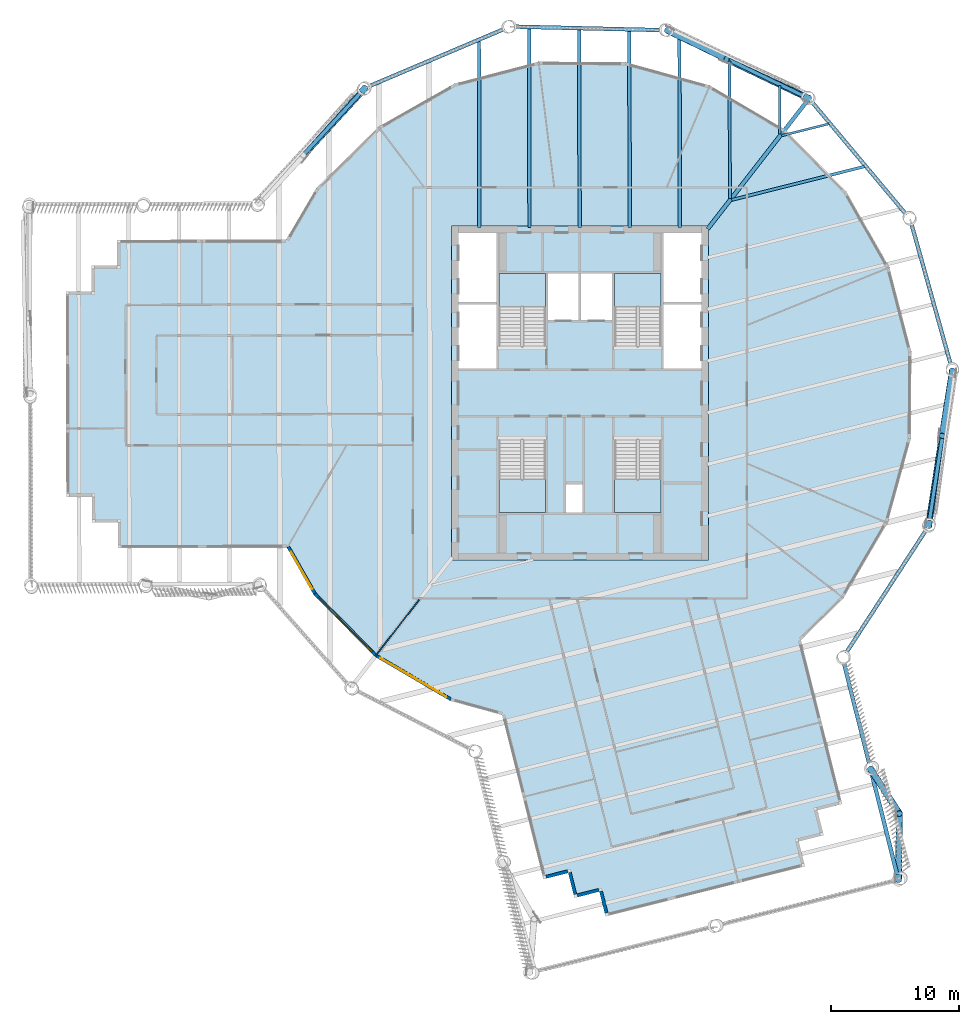
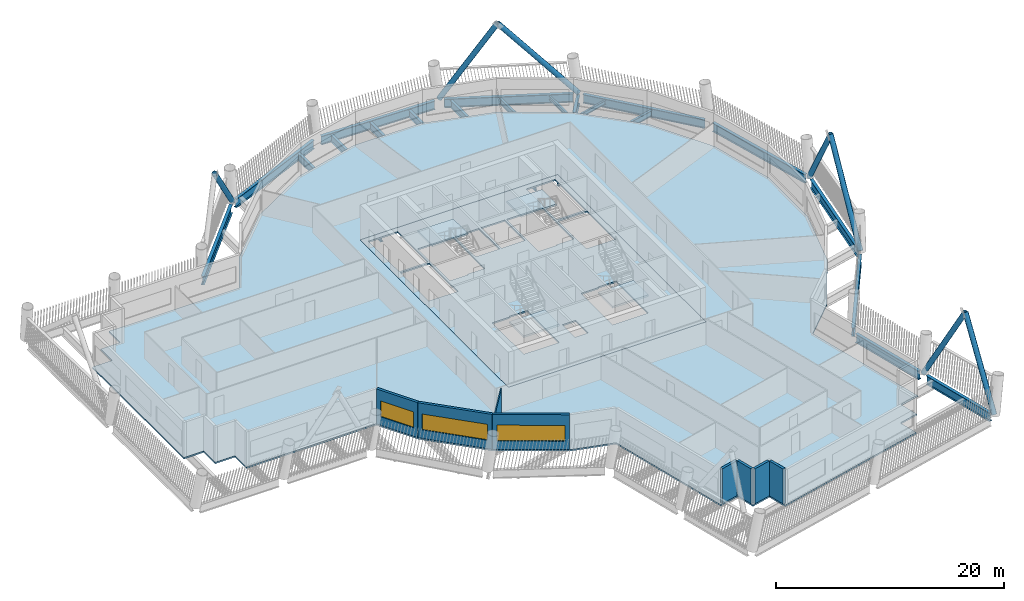
# One storey, part 2 of 22: 20 beams, 8 walls, 7 members, 6 slabs, 3 windows, 3 openings, 4 elements without a shape of their own.
"""IFC4 building model written with IfcOpenShell, lengths in metres."""

from ifc_helpers import new_model, si_unit, direction, frame, frame_2d, origin, origin_2d, place, context, subcontext, project, spatial, polyline, rectangle, hollow_circle, i_section, outline, extrude, material, layer, layer_set, material_profile, profile_set, type_object, element, fill, aggregate, save


model = new_model("IFC4")

# Units and contexts
model_context = context("Model", 3, precision=1e-05, world=origin(), true_north=direction((0.0, 1.0)))
body_context = subcontext(model_context, "Body", "Model", "MODEL_VIEW")
ifc_project = project(units=[si_unit("LENGTHUNIT", "METRE"), si_unit("AREAUNIT", "SQUARE_METRE"), si_unit("VOLUMEUNIT", "CUBIC_METRE"), si_unit("PLANEANGLEUNIT", "RADIAN"), si_unit("MASSUNIT", "GRAM", prefix="KILO")], contexts=[model_context])

# Site, building, storey
site_placement = place(None, origin())
site = spatial("IfcSite", under=ifc_project, at=site_placement, CompositionType="ELEMENT")
building_placement = place(site_placement, origin())
building = spatial("IfcBuilding", under=site, at=building_placement, Name="Tarsis Ring Headquarters", CompositionType="ELEMENT")
storey_placement = place(building_placement, frame((0.0, 0.0, 286.39990234375)))
storey = spatial("IfcBuildingStorey", under=building, at=storey_placement, Name="L67", CompositionType="ELEMENT", Elevation=286.39990234375)

# Beams
ifc_material_1 = material(Name="Structural steel S355", Category="steel")
ifc_material_profile_1 = material_profile(ifc_material_1, i_section(OverallWidth=0.177734375, OverallDepth=0.406494140625, WebThickness=0.0078125, FlangeThickness=0.0126953125, at=origin_2d()), Name="W16x40")
ifc_profile_set_1 = profile_set([ifc_material_profile_1], Name="Structural steel S355")
beam_type_1 = type_object("IfcBeamType", Name="FB Floor beam W16x40", PredefinedType="JOIST", material=ifc_profile_set_1)
for number, where, z_axis, x_axis, name in (
    (1, (15.705322265625, 20.03662109375, -0.363037109375), (0.969775306738, 0.243999701722, 0.0), (-0.243999701722, 0.969775306738, 0.0), "Floor beam FB1"),
    (2, (15.5498046875, 23.95654296875, -0.363037109375), (0.002117279997, -0.99999775856, 0.0), (0.99999775856, 0.002117279997, 0.0), "Floor beam FB1"),
):
    element("IfcBeam", number, at=place(storey_placement, frame(where, z_axis=z_axis, x_axis=x_axis)), inside=storey, type_object=beam_type_1, Name=name, PredefinedType="JOIST", context=body_context, shape_type="SweptSolid", body=[
        extrude(i_section(OverallWidth=0.177734375, OverallDepth=0.406494140625, WebThickness=0.0078125, FlangeThickness=0.0126953125, at=origin_2d()), origin(), (0.0, 0.0, 1.0), 3.80517578125),
    ])
ifc_material_profile_2 = material_profile(ifc_material_1, i_section(OverallWidth=0.228271484375, OverallDepth=0.607177734375, WebThickness=0.01123046875, FlangeThickness=0.017333984375, at=origin_2d()), Name="W24x76")
ifc_profile_set_2 = profile_set([ifc_material_profile_2], Name="Structural steel S355")
beam_type_2 = type_object("IfcBeamType", Name="FB Floor beam W24x76", PredefinedType="JOIST", material=ifc_profile_set_2)
beam_1_placement = place(storey_placement, frame((11.815673828125, 15.036865234375, -0.46337890625), z_axis=(0.969789322451, 0.243943989597, 0.0), x_axis=(-0.243943989597, 0.969789322451, 0.0)))
element("IfcBeam", 3, at=beam_1_placement, inside=storey, type_object=beam_type_2, Name="Floor beam FB4", PredefinedType="JOIST", context=body_context, shape_type="SweptSolid", body=[
    extrude(i_section(OverallWidth=0.228271484375, OverallDepth=0.607177734375, WebThickness=0.01123046875, FlangeThickness=0.017333984375, at=origin_2d()), origin(), (0.0, 0.0, 1.0), 10.6845703125),
])
beam_2_placement = place(storey_placement, frame((11.64599609375, 25.836181640625, -0.46337890625), z_axis=(0.002079282607, -0.99999783829, 0.0), x_axis=(0.99999783829, 0.002079282607, 0.0)))
element("IfcBeam", 4, at=beam_2_placement, inside=storey, type_object=beam_type_2, Name="Floor beam FB4", PredefinedType="JOIST", context=body_context, shape_type="SweptSolid", body=[
    extrude(i_section(OverallWidth=0.228271484375, OverallDepth=0.607177734375, WebThickness=0.01123046875, FlangeThickness=0.017333984375, at=origin_2d()), origin(), (0.0, 0.0, 1.0), 10.684814453125),
])
ifc_material_profile_3 = material_profile(ifc_material_1, i_section(OverallWidth=0.2666015625, OverallDepth=0.7568359375, WebThickness=0.013916015625, FlangeThickness=0.019287109375, at=origin_2d()), Name="W30x108")
ifc_profile_set_3 = profile_set([ifc_material_profile_3], Name="Structural steel S355")
beam_type_3 = type_object("IfcBeamType", Name="FB Floor beam W30x108", PredefinedType="JOIST", material=ifc_profile_set_3)
beam_3_placement = place(storey_placement, frame((7.741943359375, 27.7158203125, -0.538330078125), z_axis=(0.002092735094, -0.999997810228, 0.0), x_axis=(0.999997810228, 0.002092735094, 0.0)))
element("IfcBeam", 5, at=beam_3_placement, inside=storey, type_object=beam_type_3, Name="Floor beam FB6", PredefinedType="JOIST", context=body_context, shape_type="SweptSolid", body=[
    extrude(i_section(OverallWidth=0.2666015625, OverallDepth=0.7568359375, WebThickness=0.013916015625, FlangeThickness=0.019287109375, at=origin_2d()), origin(), (0.0, 0.0, 1.0), 14.81591796875),
])
beam_4_placement = place(storey_placement, frame((3.8408203125, 28.257080078125, -0.538330078125), z_axis=(0.002098464451, -0.999997798221, 0.0), x_axis=(0.999997798221, 0.002098464451, 0.0)))
element("IfcBeam", 6, at=beam_4_placement, inside=storey, type_object=beam_type_3, Name="Floor beam FB6", PredefinedType="JOIST", context=body_context, shape_type="SweptSolid", body=[
    extrude(i_section(OverallWidth=0.2666015625, OverallDepth=0.7568359375, WebThickness=0.013916015625, FlangeThickness=0.019287109375, at=origin_2d()), origin(), (0.0, 0.0, 1.0), 15.357177734375),
])
beam_5_placement = place(storey_placement, frame((-0.059326171875, 28.35009765625, -0.538330078125), z_axis=(0.002085830745, -0.999997824653, 0.0), x_axis=(0.999997824653, 0.002085830745, 0.0)))
element("IfcBeam", 7, at=beam_5_placement, inside=storey, type_object=beam_type_3, Name="Floor beam FB6", PredefinedType="JOIST", context=body_context, shape_type="SweptSolid", body=[
    extrude(i_section(OverallWidth=0.2666015625, OverallDepth=0.7568359375, WebThickness=0.013916015625, FlangeThickness=0.019287109375, at=origin_2d()), origin(), (0.0, 0.0, 1.0), 15.4501953125),
])
beam_6_placement = place(storey_placement, frame((-3.95947265625, 28.443115234375, -0.538330078125), z_axis=(0.002089055365, -0.999997817921, 0.0), x_axis=(0.999997817921, 0.002089055365, 0.0)))
element("IfcBeam", 8, at=beam_6_placement, inside=storey, type_object=beam_type_3, Name="Floor beam FB6", PredefinedType="JOIST", context=body_context, shape_type="SweptSolid", body=[
    extrude(i_section(OverallWidth=0.2666015625, OverallDepth=0.7568359375, WebThickness=0.013916015625, FlangeThickness=0.019287109375, at=origin_2d()), origin(), (0.0, 0.0, 1.0), 15.543212890625),
])
beam_7_placement = place(storey_placement, frame((-7.857421875, 27.442626953125, -0.538330078125), z_axis=(0.002081685016, -0.999997833291, 0.0), x_axis=(0.999997833291, 0.002081685016, 0.0)))
element("IfcBeam", 9, at=beam_7_placement, inside=storey, type_object=beam_type_3, Name="Floor beam FB6", PredefinedType="JOIST", context=body_context, shape_type="SweptSolid", body=[
    extrude(i_section(OverallWidth=0.2666015625, OverallDepth=0.7568359375, WebThickness=0.013916015625, FlangeThickness=0.019287109375, at=origin_2d()), origin(), (0.0, 0.0, 1.0), 14.542724609375),
])
ifc_material_profile_4 = material_profile(ifc_material_1, i_section(OverallWidth=0.309814453125, OverallDepth=0.949951171875, WebThickness=0.0244140625, FlangeThickness=0.0439453125, at=origin_2d()), Name="W36x256")
ifc_profile_set_4 = profile_set([ifc_material_profile_4], Name="Structural steel S355")
beam_type_4 = type_object("IfcBeamType", Name="FB Floor beam W36x256 spine", PredefinedType="BEAM", material=ifc_profile_set_4)
beam_8_placement = place(storey_placement, frame((17.800048828125, 22.8818359375, -0.635009765625), z_axis=(-0.61399605646, -0.78930909196, 0.0), x_axis=(0.78930909196, -0.61399605646, 0.0)))
element("IfcBeam", 10, at=beam_8_placement, inside=storey, type_object=beam_type_4, Name="Floor beam SB11", PredefinedType="BEAM", context=body_context, shape_type="SweptSolid", body=[
    extrude(i_section(OverallWidth=0.309814453125, OverallDepth=0.949951171875, WebThickness=0.0244140625, FlangeThickness=0.0439453125, at=origin_2d()), origin(), (0.0, 0.0, 1.0), 12.803466796875),
])

# Members
ifc_material_profile_5 = material_profile(ifc_material_1, hollow_circle(Radius=0.25390625, WallThickness=0.02001953125, at=origin_2d()), Name="CHS 508x20")
ifc_profile_set_5 = profile_set([ifc_material_profile_5], Name="Structural steel S355")
member_type = type_object("IfcMemberType", Name="XD X brace CHS 508x20", PredefinedType="BRACE", material=ifc_profile_set_5)
member_1_placement = place(storey_placement, frame((24.7939453125, -37.896484375, 0.0), z_axis=(0.007672509828, 0.552055350028, 0.833772164982), x_axis=(-0.999903435665, 0.013896738682, 0.0)))
element("IfcMember", 11, at=member_1_placement, inside=storey, type_object=member_type, Name="X brace XD2", PredefinedType="BRACE", context=body_context, shape_type="SweptSolid", body=[
    extrude(hollow_circle(Radius=0.25390625, WallThickness=0.02001953125, at=origin_2d()), origin(), (0.0, 0.0, 1.0), 9.355224609375),
])
member_2_placement = place(storey_placement, frame((22.622314453125, -29.26318359375, 0.0), z_axis=(0.254169372308, -0.392995803869, 0.883715015331), x_axis=(0.839689057238, 0.543067479375, 0.0)))
element("IfcMember", 12, at=member_2_placement, inside=storey, type_object=member_type, Name="X brace XD2", PredefinedType="BRACE", context=body_context, shape_type="SweptSolid", body=[
    extrude(hollow_circle(Radius=0.25390625, WallThickness=0.02001953125, at=origin_2d()), origin(), (0.0, 0.0, 1.0), 8.826416015625),
])
member_3_placement = place(storey_placement, frame((27.135986328125, -10.3662109375, 0.0), z_axis=(0.100728332475, 0.666365554852, 0.738790058368), x_axis=(-0.988767344019, 0.149462836192, 0.0)))
element("IfcMember", 13, at=member_3_placement, inside=storey, type_object=member_type, Name="X brace XD2", PredefinedType="BRACE", context=body_context, shape_type="SweptSolid", body=[
    extrude(hollow_circle(Radius=0.25390625, WallThickness=0.02001953125, at=origin_2d()), origin(), (0.0, 0.0, 1.0), 10.557861328125),
])
member_4_placement = place(storey_placement, frame((28.996337890625, 1.740478515625, 0.0), z_axis=(-0.085338997823, -0.543094872175, 0.835323419561), x_axis=(0.987878375657, -0.155229877631, 0.0)))
element("IfcMember", 14, at=member_4_placement, inside=storey, type_object=member_type, Name="X brace XD2", PredefinedType="BRACE", context=body_context, shape_type="SweptSolid", body=[
    extrude(hollow_circle(Radius=0.25390625, WallThickness=0.02001953125, at=origin_2d()), origin(), (0.0, 0.0, 1.0), 9.337646484375),
])
member_5_placement = place(storey_placement, frame((17.836181640625, 22.927978515625, 0.0), z_axis=(-0.607945493671, 0.290873164387, 0.738779452181), x_axis=(-0.431596324936, -0.902066855783, 0.0)))
element("IfcMember", 15, at=member_5_placement, inside=storey, type_object=member_type, Name="X brace XD2", PredefinedType="BRACE", context=body_context, shape_type="SweptSolid", body=[
    extrude(hollow_circle(Radius=0.25390625, WallThickness=0.02001953125, at=origin_2d()), origin(), (0.0, 0.0, 1.0), 10.55810546875),
])
member_6_placement = place(storey_placement, frame((6.7998046875, 28.241455078125, 0.0), z_axis=(0.494520888948, -0.24014879798, 0.835330859733), x_axis=(0.43683469535, 0.899541799439, 0.0)))
element("IfcMember", 16, at=member_6_placement, inside=storey, type_object=member_type, Name="X brace XD2", PredefinedType="BRACE", context=body_context, shape_type="SweptSolid", body=[
    extrude(hollow_circle(Radius=0.25390625, WallThickness=0.02001953125, at=origin_2d()), origin(), (0.0, 0.0, 1.0), 9.337646484375),
])
member_7_placement = place(storey_placement, frame((-16.72265625, 23.752197265625, 0.0), z_axis=(-0.455679723677, -0.496539668452, 0.738785724742), x_axis=(0.736770898181, -0.676142472852, 0.0)))
element("IfcMember", 17, at=member_7_placement, inside=storey, type_object=member_type, Name="X brace XD2", PredefinedType="BRACE", context=body_context, shape_type="SweptSolid", body=[
    extrude(hollow_circle(Radius=0.25390625, WallThickness=0.02001953125, at=origin_2d()), origin(), (0.0, 0.0, 1.0), 10.557861328125),
])

# Beams
ifc_material_profile_6 = material_profile(ifc_material_1, i_section(OverallWidth=0.309814453125, OverallDepth=0.93212890625, WebThickness=0.02099609375, FlangeThickness=0.034423828125, at=origin_2d()), Name="W36x210")
ifc_profile_set_6 = profile_set([ifc_material_profile_6], Name="Structural steel S355")
beam_type_5 = type_object("IfcBeamType", Name="XG Ring girder W36x210", PredefinedType="BEAM", material=ifc_profile_set_6)
beam_9_placement = place(storey_placement, frame((24.6826171875, -37.452880859375, -0.466064453125), z_axis=(-0.243966502795, 0.969783659129, 0.0), x_axis=(-0.969783659129, -0.243966502795, 0.0)))
element("IfcBeam", 18, at=beam_9_placement, inside=storey, type_object=beam_type_5, Name="Ring girder XG3", PredefinedType="BEAM", context=body_context, shape_type="SweptSolid", body=[
    extrude(i_section(OverallWidth=0.309814453125, OverallDepth=0.93212890625, WebThickness=0.02099609375, FlangeThickness=0.034423828125, at=origin_2d()), origin(), (0.0, 0.0, 1.0), 7.98779296875),
])
beam_10_placement = place(storey_placement, frame((22.5107421875, -28.81982421875, -0.466064453125), z_axis=(-0.243959271583, 0.969785478242, 0.0), x_axis=(-0.969785478242, -0.243959271583, 0.0)))
element("IfcBeam", 19, at=beam_10_placement, inside=storey, type_object=beam_type_5, Name="Ring girder XG3", PredefinedType="BEAM", context=body_context, shape_type="SweptSolid", body=[
    extrude(i_section(OverallWidth=0.309814453125, OverallDepth=0.93212890625, WebThickness=0.02099609375, FlangeThickness=0.034423828125, at=origin_2d()), origin(), (0.0, 0.0, 1.0), 7.988037109375),
])
beam_11_placement = place(storey_placement, frame((20.7001953125, -20.246826171875, -0.466064453125), z_axis=(0.545786082517, 0.83792455038, 0.0), x_axis=(-0.83792455038, 0.545786082517, 0.0)))
element("IfcBeam", 20, at=beam_11_placement, inside=storey, type_object=beam_type_5, Name="Ring girder XG3", PredefinedType="BEAM", context=body_context, shape_type="SweptSolid", body=[
    extrude(i_section(OverallWidth=0.309814453125, OverallDepth=0.93212890625, WebThickness=0.02099609375, FlangeThickness=0.034423828125, at=origin_2d()), origin(), (0.0, 0.0, 1.0), 11.334716796875),
])
for number, where, z_axis, x_axis, name in (
    (21, (27.205322265625, -9.914306640625, -0.466064453125), (0.151898559837, 0.988396088377, 0.0), (-0.988396088377, 0.151898559837, 0.0), "Ring girder XG3"),
    (22, (28.873291015625, 2.180908203125, -0.466064453125), (-0.269032255659, 0.963131167295, 0.0), (-0.963131167295, -0.269032255659, 0.0), "Ring girder XG3"),
    (23, (25.407470703125, 13.88818359375, -0.466064453125), (-0.642099796077, 0.766621061462, 0.0), (-0.766621061462, -0.642099796077, 0.0), "Ring girder XG3"),
    (24, (17.424072265625, 23.126220703125, -0.466064453125), (-0.901004787952, 0.433809142466, 0.0), (-0.433809142466, -0.901004787952, 0.0), "Ring girder XG3"),
    (25, (6.3427734375, 28.25244140625, -0.466064453125), (-0.999715684381, 0.023844294974, 0.0), (-0.023844294974, -0.999715684381, 0.0), "Ring girder XG3"),
    (26, (-5.866455078125, 28.35498046875, -0.466064453125), (-0.920669995585, -0.390341849191, 0.0), (0.390341849191, -0.920669995585, 0.0), "Ring girder XG3"),
    (27, (-17.03271484375, 23.416015625, -0.466064453125), (-0.677923067117, -0.735132855388, 0.0), (0.735132855388, -0.677923067117, 0.0), "Ring girder XG3"),
):
    element("IfcBeam", number, at=place(storey_placement, frame(where, z_axis=z_axis, x_axis=x_axis)), inside=storey, type_object=beam_type_5, Name=name, PredefinedType="BEAM", context=body_context, shape_type="SweptSolid", body=[
        extrude(i_section(OverallWidth=0.309814453125, OverallDepth=0.93212890625, WebThickness=0.02099609375, FlangeThickness=0.034423828125, at=origin_2d()), origin(), (0.0, 0.0, 1.0), 11.33447265625),
    ])

# Slab
ifc_material_2 = material(Name="Concrete C40/50", Category="concrete")
ifc_layer_1 = layer(ifc_material_2, 0.159912109375)
ifc_layer_set_1 = layer_set([ifc_layer_1], Name="Core floor slab 160 C40/50")
slab_type_1 = type_object("IfcSlabType", Name="Core floor slab 160 C40/50", PredefinedType="FLOOR", material=ifc_layer_set_1)
slab_1_placement = place(storey_placement, frame((0.0, 0.0, -0.159912109375)))
element("IfcSlab", 28, at=slab_1_placement, inside=storey, type_object=slab_type_1, Name="L67 core floor slab", PredefinedType="FLOOR", context=body_context, shape_type="SweptSolid", body=[
    extrude(outline(polyline([(-10.0, -13.0), (10.0, -13.0), (10.0, 13.0), (-10.0, 13.0), (-10.0, -13.0)]), holes=[polyline([(-2.5, 5.699951171875), (-0.10009765625, 5.699951171875), (-0.10009765625, 9.300048828125), (-2.5, 9.300048828125), (-2.5, 5.699951171875)]), polyline([(0.10009765625, 5.699951171875), (2.5, 5.699951171875), (2.5, 9.300048828125), (0.10009765625, 9.300048828125), (0.10009765625, 5.699951171875)]), polyline([(-9.449951171875, 1.89990234375), (-6.5, 1.89990234375), (-6.5, 6.89990234375), (-9.449951171875, 6.89990234375), (-9.449951171875, 1.89990234375)]), polyline([(-9.449951171875, 7.10009765625), (-6.5, 7.10009765625), (-6.5, 12.449951171875), (-9.449951171875, 12.449951171875), (-9.449951171875, 7.10009765625)]), polyline([(6.5, 1.89990234375), (9.449951171875, 1.89990234375), (9.449951171875, 6.89990234375), (6.5, 6.89990234375), (6.5, 1.89990234375)]), polyline([(6.5, 7.10009765625), (9.449951171875, 7.10009765625), (9.449951171875, 12.449951171875), (6.5, 12.449951171875), (6.5, 7.10009765625)]), polyline([(-1.10009765625, -9.300048828125), (0.199951171875, -9.300048828125), (0.199951171875, -7.10009765625), (-1.10009765625, -7.10009765625), (-1.10009765625, -9.300048828125)]), polyline([(-2.699951171875, 3.760009765625), (-2.699951171875, 9.300048828125), (-6.300048828125, 9.300048828125), (-6.300048828125, 3.659912109375), (-4.4599609375, 3.659912109375), (-4.4599609375, 3.760009765625), (-2.699951171875, 3.760009765625)]), polyline([(6.300048828125, 3.760009765625), (6.300048828125, 9.300048828125), (2.699951171875, 9.300048828125), (2.699951171875, 3.659912109375), (4.5400390625, 3.659912109375), (4.5400390625, 3.760009765625), (6.300048828125, 3.760009765625)]), polyline([(-6.300048828125, -3.760009765625), (-6.300048828125, -9.300048828125), (-2.699951171875, -9.300048828125), (-2.699951171875, -3.659912109375), (-4.5400390625, -3.659912109375), (-4.5400390625, -3.760009765625), (-6.300048828125, -3.760009765625)]), polyline([(2.699951171875, -3.760009765625), (2.699951171875, -9.300048828125), (6.300048828125, -9.300048828125), (6.300048828125, -3.659912109375), (4.4599609375, -3.659912109375), (4.4599609375, -3.760009765625), (2.699951171875, -3.760009765625)])]), origin(), (0.0, 0.0, 1.0), 0.159912109375),
])

# Stair, slab
ifc_material_3 = material(Name="Core stair 1760")
stair_type = type_object("IfcStairType", Name="Core stair 1760", PredefinedType="HALF_TURN_STAIR", material=ifc_material_3)
stair_1_placement = place(storey_placement, origin())
stair_1 = element("IfcStair", 29, at=stair_1_placement, inside=storey, type_object=stair_type, Name="L67 Firefighting stair", PredefinedType="HALF_TURN_STAIR")
ifc_layer_2 = layer(ifc_material_2, 0.199951171875)
ifc_layer_set_2 = layer_set([ifc_layer_2], Name="Core stair landing 200")
slab_type_2 = type_object("IfcSlabType", Name="Core stair landing 200", PredefinedType="LANDING", material=ifc_layer_set_2)
slab_2_placement = place(storey_placement, frame((0.0, 0.0, 1.75)))
slab_2 = element("IfcSlab", 30, at=slab_2_placement, type_object=slab_type_2, Name="Stair ST1 landing 1", PredefinedType="LANDING", context=body_context, shape_type="SweptSolid", body=[
    extrude(outline(polyline([(-2.699951171875, 6.739990234375), (-2.699951171875, 9.300048828125), (-6.300048828125, 9.300048828125), (-6.300048828125, 6.739990234375), (-2.699951171875, 6.739990234375)])), origin(), (0.0, 0.0, 1.0), 0.2001953125),
])
aggregate(stair_1, [slab_2])

stair_2_placement = place(storey_placement, origin())
stair_2 = element("IfcStair", 31, at=stair_2_placement, inside=storey, type_object=stair_type, Name="L67 Exit stair B", PredefinedType="HALF_TURN_STAIR")
slab_3_placement = place(storey_placement, frame((0.0, 0.0, 1.75)))
slab_3 = element("IfcSlab", 32, at=slab_3_placement, type_object=slab_type_2, Name="Stair ST2 landing 1", PredefinedType="LANDING", context=body_context, shape_type="SweptSolid", body=[
    extrude(outline(polyline([(6.300048828125, 6.739990234375), (6.300048828125, 9.300048828125), (2.699951171875, 9.300048828125), (2.699951171875, 6.739990234375), (6.300048828125, 6.739990234375)])), origin(), (0.0, 0.0, 1.0), 0.2001953125),
])
aggregate(stair_2, [slab_3])

stair_3_placement = place(storey_placement, origin())
stair_3 = element("IfcStair", 33, at=stair_3_placement, inside=storey, type_object=stair_type, Name="L67 Exit stair C", PredefinedType="HALF_TURN_STAIR")
slab_4_placement = place(storey_placement, frame((0.0, 0.0, 1.75)))
slab_4 = element("IfcSlab", 34, at=slab_4_placement, type_object=slab_type_2, Name="Stair ST3 landing 1", PredefinedType="LANDING", context=body_context, shape_type="SweptSolid", body=[
    extrude(outline(polyline([(-6.300048828125, -6.739990234375), (-6.300048828125, -9.300048828125), (-2.699951171875, -9.300048828125), (-2.699951171875, -6.739990234375), (-6.300048828125, -6.739990234375)])), origin(), (0.0, 0.0, 1.0), 0.2001953125),
])
aggregate(stair_3, [slab_4])

stair_4_placement = place(storey_placement, origin())
stair_4 = element("IfcStair", 35, at=stair_4_placement, inside=storey, type_object=stair_type, Name="L67 Exit stair D", PredefinedType="HALF_TURN_STAIR")
slab_5_placement = place(storey_placement, frame((0.0, 0.0, 1.75)))
slab_5 = element("IfcSlab", 36, at=slab_5_placement, type_object=slab_type_2, Name="Stair ST4 landing 1", PredefinedType="LANDING", context=body_context, shape_type="SweptSolid", body=[
    extrude(outline(polyline([(2.699951171875, -6.739990234375), (2.699951171875, -9.300048828125), (6.300048828125, -9.300048828125), (6.300048828125, -6.739990234375), (2.699951171875, -6.739990234375)])), origin(), (0.0, 0.0, 1.0), 0.2001953125),
])
aggregate(stair_4, [slab_5])

# Slab
ifc_material_4 = material(Name="Concrete C35/45", Category="concrete")
ifc_layer_3 = layer(ifc_material_4, 0.159912109375)
ifc_layer_set_3 = layer_set([ifc_layer_3], Name="FS Composite floor slab 160")
slab_type_3 = type_object("IfcSlabType", Name="FS Composite floor slab 160", PredefinedType="FLOOR", material=ifc_layer_set_3)
slab_6_placement = place(storey_placement, frame((0.0, 0.0, -0.159912109375)))
element("IfcSlab", 37, at=slab_6_placement, inside=storey, type_object=slab_type_3, Name="Floor slab L67", PredefinedType="FLOOR", context=body_context, shape_type="SweptSolid", body=[
    extrude(outline(polyline([(-22.802734375, -12.0478515625), (-20.731689453125, -15.690673828125), (-15.96435546875, -20.521728515625), (-10.10888671875, -23.954345703125), (-6.068359375, -25.065673828125), (-2.855224609375, -37.83984375), (-0.91552734375, -37.351806640625), (-0.427734375, -39.29150390625), (1.511962890625, -38.803466796875), (1.999755859375, -40.7431640625), (17.516357421875, -36.83984375), (17.028564453125, -34.900390625), (18.968017578125, -34.412353515625), (18.480224609375, -32.472900390625), (20.419677734375, -31.98486328125), (17.21142578125, -19.23095703125), (20.521728515625, -15.96435546875), (23.954345703125, -10.10888671875), (25.75439453125, -3.564453125), (25.799560546875, 3.22265625), (24.08642578125, 9.790283203125), (20.731689453125, 15.690673828125), (15.96435546875, 20.521728515625), (10.10888671875, 23.954345703125), (3.564453125, 25.75439453125), (-3.22265625, 25.799560546875), (-9.790283203125, 24.08642578125), (-15.690673828125, 20.731689453125), (-20.521728515625, 15.96435546875), (-22.873779296875, 11.9521484375), (-36.025146484375, 11.924560546875), (-36.020751953125, 9.924560546875), (-38.020751953125, 9.92041015625), (-38.0166015625, 7.92041015625), (-40.0166015625, 7.916259765625), (-39.983154296875, -8.083740234375), (-37.983154296875, -8.07958984375), (-37.97900390625, -10.07958984375), (-35.97900390625, -10.075439453125), (-35.974853515625, -12.075439453125), (-22.802734375, -12.0478515625)]), holes=[polyline([(-10.0, -13.0), (-10.0, 13.0), (10.0, 13.0), (10.0, -13.0), (-10.0, -13.0)])]), origin(), (0.0, 0.0, 1.0), 0.159912109375),
])

# Wall
ifc_material_5 = material(Name="Gypsum board on steel studs", Category="steel")
ifc_layer_4 = layer(ifc_material_5, 0.10009765625)
ifc_layer_set_4 = layer_set([ifc_layer_4], Name="FL partition 100 unrated")
wall_type_1 = type_object("IfcWallType", Name="FL partition 100 unrated", PredefinedType="PARTITIONING", material=ifc_layer_set_4)
wall_1_placement = place(storey_placement, frame((-15.93212890625, -20.480712890625, 0.0), z_axis=(0.0, 0.0, 1.0), x_axis=(0.614004373505, 0.78930262214, 0.0)))
element("IfcWall", 38, at=wall_1_placement, inside=storey, type_object=wall_type_1, Name="Partition PW3", PredefinedType="PARTITIONING", context=body_context, shape_type="SweptSolid", body=[
    extrude(rectangle(XDim=5.566650390625, YDim=0.10009765625, at=frame_2d((2.783203125, 0.0))), origin(), (0.0, 0.0, 1.0), 2.7001953125),
])

# Wall, opening, window
ifc_material_6 = material(Name="Terracotta clad insulated panel wall", Category="masonry")
ifc_layer_5 = layer(ifc_material_6, 0.25)
ifc_layer_set_5 = layer_set([ifc_layer_5], Name="Facade wall terracotta panel 250")
wall_type_2 = type_object("IfcWallType", Name="Facade wall terracotta panel 250", PredefinedType="STANDARD", material=ifc_layer_set_5)
wall_2_placement = place(storey_placement, frame((-22.694091796875, -11.986083984375, 0.0), z_axis=(0.0, 0.0, 1.0), x_axis=(0.494215211907, -0.869339590908, 0.0)))
wall_2 = element("IfcWall", 39, at=wall_2_placement, inside=storey, type_object=wall_type_2, Name="External wall L67-02", PredefinedType="STANDARD", context=body_context, shape_type="SweptSolid", body=[
    extrude(rectangle(XDim=4.157470703125, YDim=0.25, at=frame_2d((2.07861328125, 0.0))), origin(), (0.0, 0.0, 1.0), 3.739990234375),
])
opening_1_placement = place(wall_2_placement, frame((0.420166015625, 0.0, 0.89990234375)))
opening_1 = element("IfcOpeningElement", 40, at=opening_1_placement, cuts=wall_2, Name="Opening WN01", PredefinedType="OPENING", context=body_context, shape_type="SweptSolid", body=[
    extrude(rectangle(XDim=3.35009765625, YDim=1.699951171875, at=frame_2d((1.675048828125, 0.85009765625))), frame((0.0, 0.135009765625, 0.0), z_axis=(0.0, -1.0, 0.0), x_axis=(1.0, 0.0, 0.0)), (0.0, 0.0, 1.0), 0.27001953125),
])
ifc_material_7 = material(Name="Aluminium framed double glazing", Category="aluminium")
window_type_1 = type_object("IfcWindowType", Name="Facade window 3350 x 1700", PartitioningType="SINGLE_PANEL", PredefinedType="WINDOW", material=ifc_material_7)
window_1_placement = place(opening_1_placement, origin())
window_1 = element("IfcWindow", 41, at=window_1_placement, inside=storey, type_object=window_type_1, Name="Window L67-02.1", OverallHeight=1.699951171875, OverallWidth=3.35009765625, PartitioningType="SINGLE_PANEL", PredefinedType="WINDOW", context=body_context, shape_type="SweptSolid", body=[
    extrude(rectangle(XDim=3.35009765625, YDim=1.699951171875, at=frame_2d((1.675048828125, 0.85009765625))), frame((0.0, 0.030029296875, 0.0), z_axis=(0.0, -1.0, 0.0), x_axis=(1.0, 0.0, 0.0)), (0.0, 0.0, 1.0), 0.06005859375),
])
fill(opening_1, window_1)

wall_3_placement = place(storey_placement, frame((-20.61962890625, -15.626220703125, 0.0), z_axis=(0.0, 0.0, 1.0), x_axis=(0.70238748697, -0.711794786542, 0.0)))
wall_3 = element("IfcWall", 42, at=wall_3_placement, inside=storey, type_object=wall_type_2, Name="External wall L67-03", PredefinedType="STANDARD", context=body_context, shape_type="SweptSolid", body=[
    extrude(rectangle(XDim=6.7216796875, YDim=0.25, at=frame_2d((3.36083984375, 0.0))), origin(), (0.0, 0.0, 1.0), 3.739990234375),
])
opening_2_placement = place(wall_3_placement, frame((0.3857421875, 0.0, 0.89990234375)))
opening_2 = element("IfcOpeningElement", 43, at=opening_2_placement, cuts=wall_3, Name="Opening WN07", PredefinedType="OPENING", context=body_context, shape_type="SweptSolid", body=[
    extrude(rectangle(XDim=5.949951171875, YDim=1.699951171875, at=frame_2d((2.97509765625, 0.85009765625))), frame((0.0, 0.135009765625, 0.0), z_axis=(0.0, -1.0, 0.0), x_axis=(1.0, 0.0, 0.0)), (0.0, 0.0, 1.0), 0.27001953125),
])
window_type_2 = type_object("IfcWindowType", Name="Facade window 5950 x 1700", PartitioningType="SINGLE_PANEL", PredefinedType="WINDOW", material=ifc_material_7)
window_2_placement = place(opening_2_placement, origin())
window_2 = element("IfcWindow", 44, at=window_2_placement, inside=storey, type_object=window_type_2, Name="Window L67-03.1", OverallHeight=1.699951171875, OverallWidth=5.949951171875, PartitioningType="SINGLE_PANEL", PredefinedType="WINDOW", context=body_context, shape_type="SweptSolid", body=[
    extrude(rectangle(XDim=5.949951171875, YDim=1.699951171875, at=frame_2d((2.97509765625, 0.85009765625))), frame((0.0, 0.030029296875, 0.0), z_axis=(0.0, -1.0, 0.0), x_axis=(1.0, 0.0, 0.0)), (0.0, 0.0, 1.0), 0.06005859375),
])
fill(opening_2, window_2)

wall_4_placement = place(storey_placement, frame((-15.87255859375, -20.4306640625, 0.0), z_axis=(0.0, 0.0, 1.0), x_axis=(0.862697970098, -0.505719499712, 0.0)))
wall_4 = element("IfcWall", 45, at=wall_4_placement, inside=storey, type_object=wall_type_2, Name="External wall L67-04", PredefinedType="STANDARD", context=body_context, shape_type="SweptSolid", body=[
    extrude(rectangle(XDim=6.721435546875, YDim=0.25, at=frame_2d((3.36083984375, 0.0))), origin(), (0.0, 0.0, 1.0), 3.739990234375),
])
opening_3_placement = place(wall_4_placement, frame((0.3857421875, 0.0, 0.89990234375)))
opening_3 = element("IfcOpeningElement", 46, at=opening_3_placement, cuts=wall_4, Name="Opening WN07", PredefinedType="OPENING", context=body_context, shape_type="SweptSolid", body=[
    extrude(rectangle(XDim=5.949951171875, YDim=1.699951171875, at=frame_2d((2.97509765625, 0.85009765625))), frame((0.0, 0.135009765625, 0.0), z_axis=(0.0, -1.0, 0.0), x_axis=(1.0, 0.0, 0.0)), (0.0, 0.0, 1.0), 0.27001953125),
])
window_3_placement = place(opening_3_placement, origin())
window_3 = element("IfcWindow", 47, at=window_3_placement, inside=storey, type_object=window_type_2, Name="Window L67-04.1", OverallHeight=1.699951171875, OverallWidth=5.949951171875, PartitioningType="SINGLE_PANEL", PredefinedType="WINDOW", context=body_context, shape_type="SweptSolid", body=[
    extrude(rectangle(XDim=5.949951171875, YDim=1.699951171875, at=frame_2d((2.97509765625, 0.85009765625))), frame((0.0, 0.030029296875, 0.0), z_axis=(0.0, -1.0, 0.0), x_axis=(1.0, 0.0, 0.0)), (0.0, 0.0, 1.0), 0.06005859375),
])
fill(opening_3, window_3)

# Walls
wall_5_placement = place(storey_placement, frame((-2.64306640625, -37.657470703125, 0.0), z_axis=(0.0, 0.0, 1.0), x_axis=(0.969805076512, 0.243881351423, 0.0)))
element("IfcWall", 48, at=wall_5_placement, inside=storey, type_object=wall_type_2, Name="External wall L67-07", PredefinedType="STANDARD", context=body_context, shape_type="SweptSolid", body=[
    extrude(rectangle(XDim=1.749755859375, YDim=0.25, at=frame_2d((0.875, 0.0))), origin(), (0.0, 0.0, 1.0), 3.739990234375),
])
wall_6_placement = place(storey_placement, frame((-0.79443359375, -37.3212890625, 0.0), z_axis=(0.0, 0.0, 1.0), x_axis=(0.24397955641, -0.969780375164, 0.0)))
element("IfcWall", 49, at=wall_6_placement, inside=storey, type_object=wall_type_2, Name="External wall L67-08", PredefinedType="STANDARD", context=body_context, shape_type="SweptSolid", body=[
    extrude(rectangle(XDim=1.750244140625, YDim=0.25, at=frame_2d((0.875, 0.0))), origin(), (0.0, 0.0, 1.0), 3.739990234375),
])
wall_7_placement = place(storey_placement, frame((-0.215576171875, -39.109130859375, 0.0), z_axis=(0.0, 0.0, 1.0), x_axis=(0.969805076512, 0.243881351423, 0.0)))
element("IfcWall", 50, at=wall_7_placement, inside=storey, type_object=wall_type_2, Name="External wall L67-09", PredefinedType="STANDARD", context=body_context, shape_type="SweptSolid", body=[
    extrude(rectangle(XDim=1.749755859375, YDim=0.25, at=frame_2d((0.875, 0.0))), origin(), (0.0, 0.0, 1.0), 3.739990234375),
])
wall_8_placement = place(storey_placement, frame((1.633056640625, -38.77294921875, 0.0), z_axis=(0.0, 0.0, 1.0), x_axis=(0.24397955641, -0.969780375164, 0.0)))
element("IfcWall", 51, at=wall_8_placement, inside=storey, type_object=wall_type_2, Name="External wall L67-10", PredefinedType="STANDARD", context=body_context, shape_type="SweptSolid", body=[
    extrude(rectangle(XDim=1.750244140625, YDim=0.25, at=frame_2d((0.875, 0.0))), origin(), (0.0, 0.0, 1.0), 3.739990234375),
])

save(model, "model.ifc")
